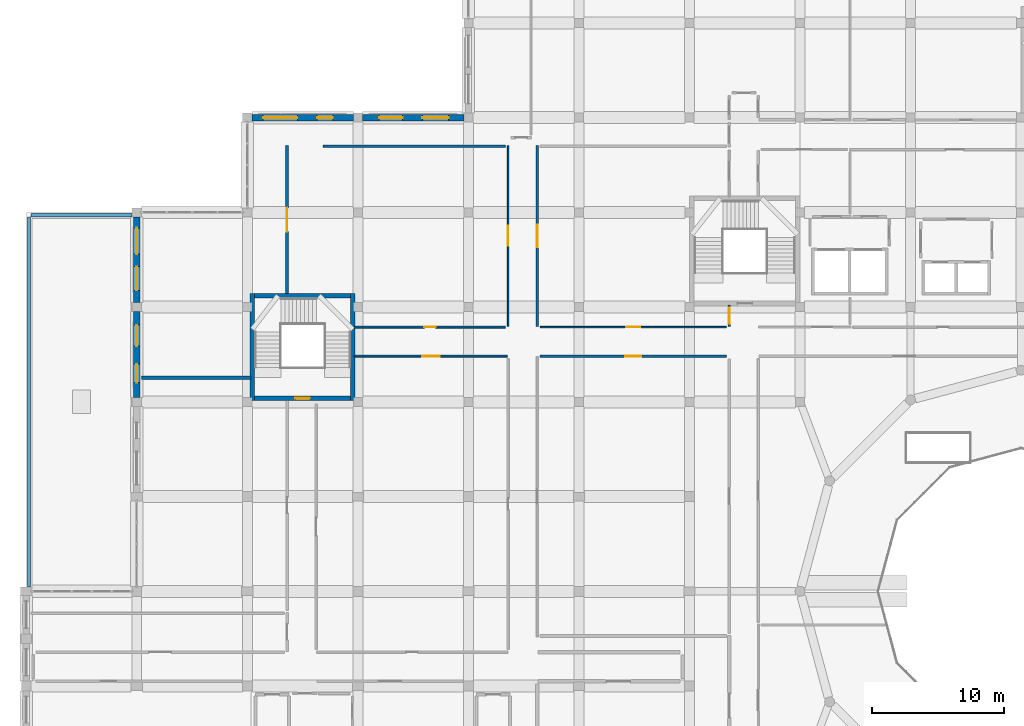
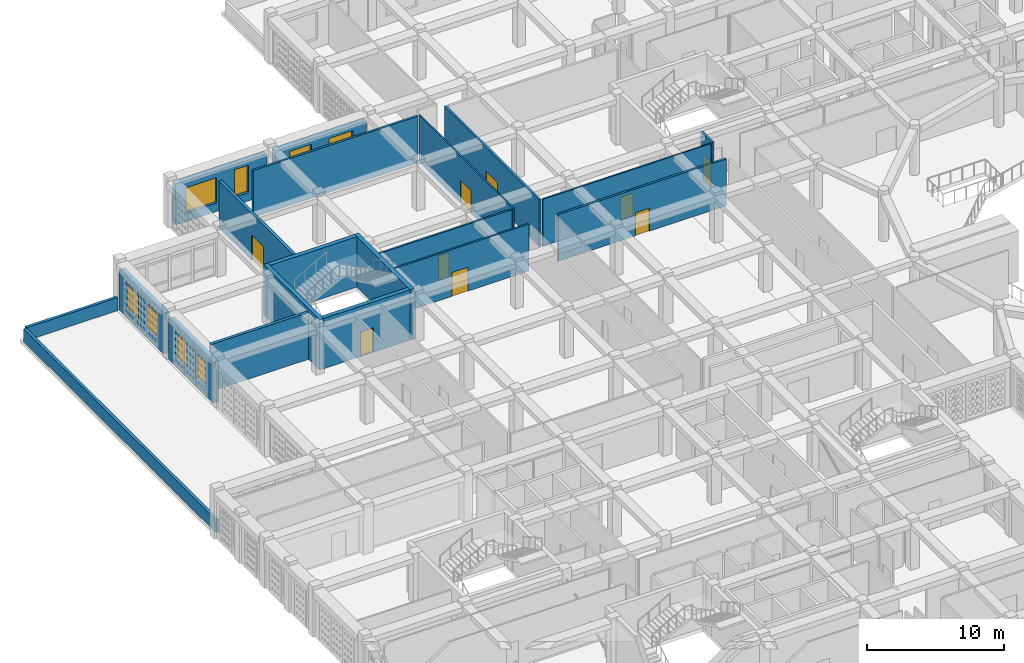
# One storey, part 61 of 100: 20 walls, 9 doors, 8 windows, 17 openings.
"""IFC4 building model written with IfcOpenShell, lengths in metres."""

from ifc_helpers import new_model, si_unit, derived_unit, direction, frame, frame_2d, origin, place, context, subcontext, project, spatial, rectangle, extrude, material, layer, layer_set, type_object, element, fill, save


model = new_model("IFC4")

# Units and contexts
model_context = context("Model", 3, precision=1e-05, world=origin(), true_north=direction((0.0, 1.0)))
body_context = subcontext(model_context, "Body", "Model", "MODEL_VIEW")
ifc_project = project(units=[si_unit("LENGTHUNIT", "METRE"), si_unit("AREAUNIT", "SQUARE_METRE"), si_unit("VOLUMEUNIT", "CUBIC_METRE"), si_unit("PLANEANGLEUNIT", "RADIAN"), si_unit("MASSUNIT", "GRAM", prefix="KILO"), derived_unit("THERMALTRANSMITTANCEUNIT", [(si_unit("POWERUNIT", "WATT"), 1), (si_unit("LENGTHUNIT", "METRE"), -2), (si_unit("THERMODYNAMICTEMPERATUREUNIT", "KELVIN"), -1)])], contexts=[model_context])

# Site, building, storey
site_placement = place(None, origin())
site = spatial("IfcSite", under=ifc_project, at=site_placement, CompositionType="ELEMENT")
building_placement = place(site_placement, origin())
building = spatial("IfcBuilding", under=site, at=building_placement, Name="Veybourne Emporium", CompositionType="ELEMENT")
storey_placement = place(building_placement, frame((0.0, 0.0, 14.39990234375)))
storey = spatial("IfcBuildingStorey", under=building, at=storey_placement, Name="L03", CompositionType="ELEMENT", Elevation=14.39990234375)

# Wall, openings, windows
ifc_material_1 = material(Name="Portland Limestone Ashlar", Category="masonry")
ifc_layer_1 = layer(ifc_material_1, 0.47998046875)
ifc_layer_set_1 = layer_set([ifc_layer_1], Name="Portland Limestone Ashlar")
wall_type_1 = type_object("IfcWallType", Name="ExtWall_EW-01", PredefinedType="SOLIDWALL", material=ifc_layer_set_1)
wall_1_placement = place(storey_placement, frame((8.39990234375, 65.14990234375, 0.0), z_axis=(0.0, 0.0, 1.0), x_axis=(0.0, 1.0, 0.0)))
wall_1 = element("IfcWall", 1, at=wall_1_placement, inside=storey, type_object=wall_type_1, Name="L03 Portland stone external wall 011", PredefinedType="SOLIDWALL", context=body_context, shape_type="SweptSolid", body=[
    extrude(rectangle(XDim=6.5, YDim=0.47998046875, at=frame_2d((3.25, 0.0))), origin(), (0.0, 0.0, 1.0), 3.630126953125),
])
opening_1_placement = place(wall_1_placement, frame((1.1201171875, 0.0, 0.75)))
opening_1 = element("IfcOpeningElement", 2, at=opening_1_placement, cuts=wall_1, Name="Opening W-18", PredefinedType="OPENING", context=body_context, shape_type="SweptSolid", body=[
    extrude(rectangle(XDim=1.39990234375, YDim=2.260009765625, at=frame_2d((0.699951171875, 1.1298828125))), frame((0.0, 0.260009765625, 0.0), z_axis=(0.0, -1.0, 0.0), x_axis=(1.0, 0.0, 0.0)), (0.0, 0.0, 1.0), 0.52001953125),
])
opening_2_placement = place(wall_1_placement, frame((3.8798828125, 0.0, 0.75)))
opening_2 = element("IfcOpeningElement", 3, at=opening_2_placement, cuts=wall_1, Name="Opening W-19", PredefinedType="OPENING", context=body_context, shape_type="SweptSolid", body=[
    extrude(rectangle(XDim=1.60009765625, YDim=2.260009765625, at=frame_2d((0.800048828125, 1.1298828125))), frame((0.0, 0.260009765625, 0.0), z_axis=(0.0, -1.0, 0.0), x_axis=(1.0, 0.0, 0.0)), (0.0, 0.0, 1.0), 0.52001953125),
])
ifc_material_2 = material(Name="Low-E Triple Glazing", Category="glass")
window_type_1 = type_object("IfcWindowType", Name="Win_W-18", PartitioningType="DOUBLE_PANEL_VERTICAL", PredefinedType="WINDOW", material=ifc_material_2)
window_1_placement = place(opening_1_placement, origin())
window_1 = element("IfcWindow", 4, at=window_1_placement, inside=storey, type_object=window_type_1, Name="L03 tripartite bronze casement window W-18 (11.1)", OverallHeight=2.260009765625, OverallWidth=1.39990234375, PartitioningType="DOUBLE_PANEL_VERTICAL", PredefinedType="WINDOW", context=body_context, shape_type="SweptSolid", body=[
    extrude(rectangle(XDim=1.39990234375, YDim=2.260009765625, at=frame_2d((0.699951171875, 1.1298828125))), frame((0.0, 0.030029296875, 0.0), z_axis=(0.0, -1.0, 0.0), x_axis=(1.0, 0.0, 0.0)), (0.0, 0.0, 1.0), 0.06005859375),
])
fill(opening_1, window_1)
window_type_2 = type_object("IfcWindowType", Name="Win_W-19", PartitioningType="DOUBLE_PANEL_VERTICAL", PredefinedType="WINDOW", material=ifc_material_2)
window_2_placement = place(opening_2_placement, origin())
window_2 = element("IfcWindow", 5, at=window_2_placement, inside=storey, type_object=window_type_2, Name="L03 tripartite bronze casement window W-19 (11.2)", OverallHeight=2.260009765625, OverallWidth=1.60009765625, PartitioningType="DOUBLE_PANEL_VERTICAL", PredefinedType="WINDOW", context=body_context, shape_type="SweptSolid", body=[
    extrude(rectangle(XDim=1.60009765625, YDim=2.260009765625, at=frame_2d((0.800048828125, 1.1298828125))), frame((0.0, 0.030029296875, 0.0), z_axis=(0.0, -1.0, 0.0), x_axis=(1.0, 0.0, 0.0)), (0.0, 0.0, 1.0), 0.06005859375),
])
fill(opening_2, window_2)

wall_2_placement = place(storey_placement, frame((8.39990234375, 72.35009765625, 0.0), z_axis=(0.0, 0.0, 1.0), x_axis=(0.0, 1.0, 0.0)))
wall_2 = element("IfcWall", 6, at=wall_2_placement, inside=storey, type_object=wall_type_1, Name="L03 Portland stone external wall 013", PredefinedType="SOLIDWALL", context=body_context, shape_type="SweptSolid", body=[
    extrude(rectangle(XDim=6.5, YDim=0.47998046875, at=frame_2d((3.25, 0.0))), origin(), (0.0, 0.0, 1.0), 3.630126953125),
])
opening_3_placement = place(wall_2_placement, frame((0.919921875, 0.0, 0.75)))
opening_3 = element("IfcOpeningElement", 7, at=opening_3_placement, cuts=wall_2, Name="Opening W-20", PredefinedType="OPENING", context=body_context, shape_type="SweptSolid", body=[
    extrude(rectangle(XDim=1.800048828125, YDim=2.260009765625, at=frame_2d((0.89990234375, 1.1298828125))), frame((0.0, 0.260009765625, 0.0), z_axis=(0.0, -1.0, 0.0), x_axis=(1.0, 0.0, 0.0)), (0.0, 0.0, 1.0), 0.52001953125),
])
opening_4_placement = place(wall_2_placement, frame((3.679931640625, 0.0, 0.75)))
opening_4 = element("IfcOpeningElement", 8, at=opening_4_placement, cuts=wall_2, Name="Opening W-21", PredefinedType="OPENING", context=body_context, shape_type="SweptSolid", body=[
    extrude(rectangle(XDim=2.0, YDim=2.260009765625, at=frame_2d((1.0, 1.1298828125))), frame((0.0, 0.260009765625, 0.0), z_axis=(0.0, -1.0, 0.0), x_axis=(1.0, 0.0, 0.0)), (0.0, 0.0, 1.0), 0.52001953125),
])
window_type_3 = type_object("IfcWindowType", Name="Win_W-20", PartitioningType="DOUBLE_PANEL_VERTICAL", PredefinedType="WINDOW", material=ifc_material_2)
window_3_placement = place(opening_3_placement, origin())
window_3 = element("IfcWindow", 9, at=window_3_placement, inside=storey, type_object=window_type_3, Name="L03 tripartite bronze casement window W-20 (13.1)", OverallHeight=2.260009765625, OverallWidth=1.800048828125, PartitioningType="DOUBLE_PANEL_VERTICAL", PredefinedType="WINDOW", context=body_context, shape_type="SweptSolid", body=[
    extrude(rectangle(XDim=1.800048828125, YDim=2.260009765625, at=frame_2d((0.89990234375, 1.1298828125))), frame((0.0, 0.030029296875, 0.0), z_axis=(0.0, -1.0, 0.0), x_axis=(1.0, 0.0, 0.0)), (0.0, 0.0, 1.0), 0.06005859375),
])
fill(opening_3, window_3)
window_type_4 = type_object("IfcWindowType", Name="Win_W-21", PartitioningType="TRIPLE_PANEL_VERTICAL", PredefinedType="WINDOW", material=ifc_material_2)
window_4_placement = place(opening_4_placement, origin())
window_4 = element("IfcWindow", 10, at=window_4_placement, inside=storey, type_object=window_type_4, Name="L03 tripartite bronze casement window W-21 (13.2)", OverallHeight=2.260009765625, OverallWidth=2.0, PartitioningType="TRIPLE_PANEL_VERTICAL", PredefinedType="WINDOW", context=body_context, shape_type="SweptSolid", body=[
    extrude(rectangle(XDim=2.0, YDim=2.260009765625, at=frame_2d((1.0, 1.1298828125))), frame((0.0, 0.030029296875, 0.0), z_axis=(0.0, -1.0, 0.0), x_axis=(1.0, 0.0, 0.0)), (0.0, 0.0, 1.0), 0.06005859375),
])
fill(opening_4, window_4)

wall_3_placement = place(storey_placement, frame((17.14990234375, 86.39990234375, 0.0), z_axis=(0.0, 0.0, 1.0), x_axis=(1.0, 0.0, 0.0)))
wall_3 = element("IfcWall", 11, at=wall_3_placement, inside=storey, type_object=wall_type_1, Name="L03 Portland stone external wall 017", PredefinedType="SOLIDWALL", context=body_context, shape_type="SweptSolid", body=[
    extrude(rectangle(XDim=7.7001953125, YDim=0.47998046875, at=frame_2d((3.85009765625, 0.0))), origin(), (0.0, 0.0, 1.0), 3.630126953125),
])
opening_5_placement = place(wall_3_placement, frame((0.85595703125, 0.0, 0.75)))
opening_5 = element("IfcOpeningElement", 12, at=opening_5_placement, cuts=wall_3, Name="Opening W-24", PredefinedType="OPENING", context=body_context, shape_type="SweptSolid", body=[
    extrude(rectangle(XDim=2.60009765625, YDim=2.260009765625, at=frame_2d((1.300048828125, 1.1298828125))), frame((0.0, 0.260009765625, 0.0), z_axis=(0.0, -1.0, 0.0), x_axis=(1.0, 0.0, 0.0)), (0.0, 0.0, 1.0), 0.52001953125),
])
opening_6_placement = place(wall_3_placement, frame((4.944091796875, 0.0, 0.75)))
opening_6 = element("IfcOpeningElement", 13, at=opening_6_placement, cuts=wall_3, Name="Opening W-25", PredefinedType="OPENING", context=body_context, shape_type="SweptSolid", body=[
    extrude(rectangle(XDim=1.199951171875, YDim=2.43994140625, at=frame_2d((0.60009765625, 1.219970703125))), frame((0.0, 0.260009765625, 0.0), z_axis=(0.0, -1.0, 0.0), x_axis=(1.0, 0.0, 0.0)), (0.0, 0.0, 1.0), 0.52001953125),
])
window_type_5 = type_object("IfcWindowType", Name="Win_W-24", PartitioningType="TRIPLE_PANEL_VERTICAL", PredefinedType="WINDOW", material=ifc_material_2)
window_5_placement = place(opening_5_placement, origin())
window_5 = element("IfcWindow", 14, at=window_5_placement, inside=storey, type_object=window_type_5, Name="L03 tripartite bronze casement window W-24 (17.1)", OverallHeight=2.260009765625, OverallWidth=2.60009765625, PartitioningType="TRIPLE_PANEL_VERTICAL", PredefinedType="WINDOW", context=body_context, shape_type="SweptSolid", body=[
    extrude(rectangle(XDim=2.60009765625, YDim=2.260009765625, at=frame_2d((1.300048828125, 1.1298828125))), frame((0.0, 0.030029296875, 0.0), z_axis=(0.0, -1.0, 0.0), x_axis=(1.0, 0.0, 0.0)), (0.0, 0.0, 1.0), 0.06005859375),
])
fill(opening_5, window_5)
window_type_6 = type_object("IfcWindowType", Name="Win_W-25", PartitioningType="SINGLE_PANEL", PredefinedType="WINDOW", material=ifc_material_2)
window_6_placement = place(opening_6_placement, origin())
window_6 = element("IfcWindow", 15, at=window_6_placement, inside=storey, type_object=window_type_6, Name="L03 tripartite bronze casement window W-25 (17.2)", OverallHeight=2.43994140625, OverallWidth=1.199951171875, PartitioningType="SINGLE_PANEL", PredefinedType="WINDOW", context=body_context, shape_type="SweptSolid", body=[
    extrude(rectangle(XDim=1.199951171875, YDim=2.43994140625, at=frame_2d((0.60009765625, 1.219970703125))), frame((0.0, 0.030029296875, 0.0), z_axis=(0.0, -1.0, 0.0), x_axis=(1.0, 0.0, 0.0)), (0.0, 0.0, 1.0), 0.06005859375),
])
fill(opening_6, window_6)

wall_4_placement = place(storey_placement, frame((25.550048828125, 86.39990234375, 0.0), z_axis=(0.0, 0.0, 1.0), x_axis=(1.0, 0.0, 0.0)))
wall_4 = element("IfcWall", 16, at=wall_4_placement, inside=storey, type_object=wall_type_1, Name="L03 Portland stone external wall 020", PredefinedType="SOLIDWALL", context=body_context, shape_type="SweptSolid", body=[
    extrude(rectangle(XDim=7.699951171875, YDim=0.47998046875, at=frame_2d((3.85009765625, 0.0))), origin(), (0.0, 0.0, 1.0), 3.630126953125),
])
opening_7_placement = place(wall_4_placement, frame((1.256103515625, 0.0, 0.75)))
opening_7 = element("IfcOpeningElement", 17, at=opening_7_placement, cuts=wall_4, Name="Opening W-28", PredefinedType="OPENING", context=body_context, shape_type="SweptSolid", body=[
    extrude(rectangle(XDim=1.800048828125, YDim=2.43994140625, at=frame_2d((0.89990234375, 1.219970703125))), frame((0.0, 0.260009765625, 0.0), z_axis=(0.0, -1.0, 0.0), x_axis=(1.0, 0.0, 0.0)), (0.0, 0.0, 1.0), 0.52001953125),
])
opening_8_placement = place(wall_4_placement, frame((4.5439453125, 0.0, 0.75)))
opening_8 = element("IfcOpeningElement", 18, at=opening_8_placement, cuts=wall_4, Name="Opening W-29", PredefinedType="OPENING", context=body_context, shape_type="SweptSolid", body=[
    extrude(rectangle(XDim=2.0, YDim=2.43994140625, at=frame_2d((1.0, 1.219970703125))), frame((0.0, 0.260009765625, 0.0), z_axis=(0.0, -1.0, 0.0), x_axis=(1.0, 0.0, 0.0)), (0.0, 0.0, 1.0), 0.52001953125),
])
window_type_7 = type_object("IfcWindowType", Name="Win_W-28", PartitioningType="DOUBLE_PANEL_VERTICAL", PredefinedType="WINDOW", material=ifc_material_2)
window_7_placement = place(opening_7_placement, origin())
window_7 = element("IfcWindow", 19, at=window_7_placement, inside=storey, type_object=window_type_7, Name="L03 tripartite bronze casement window W-28 (20.1)", OverallHeight=2.43994140625, OverallWidth=1.800048828125, PartitioningType="DOUBLE_PANEL_VERTICAL", PredefinedType="WINDOW", context=body_context, shape_type="SweptSolid", body=[
    extrude(rectangle(XDim=1.800048828125, YDim=2.43994140625, at=frame_2d((0.89990234375, 1.219970703125))), frame((0.0, 0.030029296875, 0.0), z_axis=(0.0, -1.0, 0.0), x_axis=(1.0, 0.0, 0.0)), (0.0, 0.0, 1.0), 0.06005859375),
])
fill(opening_7, window_7)
window_type_8 = type_object("IfcWindowType", Name="Win_W-29", PartitioningType="TRIPLE_PANEL_VERTICAL", PredefinedType="WINDOW", material=ifc_material_2)
window_8_placement = place(opening_8_placement, origin())
window_8 = element("IfcWindow", 20, at=window_8_placement, inside=storey, type_object=window_type_8, Name="L03 tripartite bronze casement window W-29 (20.2)", OverallHeight=2.43994140625, OverallWidth=2.0, PartitioningType="TRIPLE_PANEL_VERTICAL", PredefinedType="WINDOW", context=body_context, shape_type="SweptSolid", body=[
    extrude(rectangle(XDim=2.0, YDim=2.43994140625, at=frame_2d((1.0, 1.219970703125))), frame((0.0, 0.030029296875, 0.0), z_axis=(0.0, -1.0, 0.0), x_axis=(1.0, 0.0, 0.0)), (0.0, 0.0, 1.0), 0.06005859375),
])
fill(opening_8, window_8)

# Walls
ifc_material_3 = material(Name="Precast concrete C40/50", Category="concrete")
ifc_layer_2 = layer(ifc_material_3, 0.239990234375)
ifc_layer_set_2 = layer_set([ifc_layer_2], Name="Precast concrete C40/50")
wall_type_2 = type_object("IfcWallType", Name="ExtWall_PW-02", PredefinedType="PARAPET", material=ifc_layer_set_2)
wall_5_placement = place(storey_placement, frame((0.35009765625, 78.97998046875, 0.0), z_axis=(0.0, 0.0, 1.0), x_axis=(1.0, 0.0, 0.0)))
element("IfcWall", 21, at=wall_5_placement, inside=storey, type_object=wall_type_2, Name="L03 roof parapet wall 002", PredefinedType="PARAPET", context=body_context, shape_type="SweptSolid", body=[
    extrude(rectangle(XDim=7.699951171875, YDim=0.239990234375, at=frame_2d((3.85009765625, 0.0))), origin(), (0.0, 0.0, 1.0), 1.150146484375),
])
wall_6_placement = place(storey_placement, frame((0.219970703125, 50.75, 0.0), z_axis=(0.0, 0.0, 1.0), x_axis=(0.0, 1.0, 0.0)))
element("IfcWall", 22, at=wall_6_placement, inside=storey, type_object=wall_type_2, Name="L03 roof parapet wall 003", PredefinedType="PARAPET", context=body_context, shape_type="SweptSolid", body=[
    extrude(rectangle(XDim=28.10009765625, YDim=0.239990234375, at=frame_2d((14.050048828125, 0.0))), origin(), (0.0, 0.0, 1.0), 1.150146484375),
])

# Wall, opening, door
ifc_material_4 = material(Name="Concrete C40/50", Category="concrete")
ifc_layer_3 = layer(ifc_material_4, 0.35009765625)
ifc_layer_set_3 = layer_set([ifc_layer_3], Name="Concrete C40/50")
wall_type_3 = type_object("IfcWallType", Name="IntWall_CW-02", PredefinedType="SHEAR", material=ifc_layer_set_3)
wall_7_placement = place(storey_placement, frame((24.64990234375, 65.074951171875, 0.0), z_axis=(0.0, 0.0, 1.0), x_axis=(-1.0, 0.0, 0.0)))
wall_7 = element("IfcWall", 23, at=wall_7_placement, inside=storey, type_object=wall_type_3, Name="Core stair ST-08 south shear wall (L03)", PredefinedType="SHEAR", context=body_context, shape_type="SweptSolid", body=[
    extrude(rectangle(XDim=7.2998046875, YDim=0.35009765625, at=frame_2d((3.64990234375, 0.0))), origin(), (0.0, 0.0, 1.0), 4.5),
])
opening_9_placement = place(wall_7_placement, frame((3.10009765625, 0.0, 0.0)))
opening_9 = element("IfcOpeningElement", 24, at=opening_9_placement, cuts=wall_7, Name="Opening FD-01", PredefinedType="OPENING", context=body_context, shape_type="SweptSolid", body=[
    extrude(rectangle(XDim=1.10009765625, YDim=2.199951171875, at=frame_2d((0.550048828125, 1.10009765625))), frame((0.0, 0.195068359375, 0.0), z_axis=(0.0, -1.0, 0.0), x_axis=(1.0, 0.0, 0.0)), (0.0, 0.0, 1.0), 0.39013671875),
])
ifc_material_5 = material(Name="Patinated Architectural Bronze", Category="bronze")
door_type_1 = type_object("IfcDoorType", Name="FireDoor_FD-01", OperationType="NOTDEFINED", PredefinedType="DOOR", material=ifc_material_5)
door_1_placement = place(opening_9_placement, origin())
door_1 = element("IfcDoor", 25, at=door_1_placement, inside=storey, type_object=door_type_1, Name="Stair ST-08 fire door (L03)", OperationType="SINGLE_SWING_RIGHT", OverallHeight=2.199951171875, OverallWidth=1.10009765625, PredefinedType="DOOR", context=body_context, shape_type="SweptSolid", body=[
    extrude(rectangle(XDim=1.10009765625, YDim=2.199951171875, at=frame_2d((0.550048828125, 1.10009765625))), frame((0.0, 0.02490234375, 0.0), z_axis=(0.0, -1.0, 0.0), x_axis=(1.0, 0.0, 0.0)), (0.0, 0.0, 1.0), 0.050048828125),
])
fill(opening_9, door_1)

# Walls
wall_8_placement = place(storey_placement, frame((17.35009765625, 72.875, 0.0), z_axis=(0.0, 0.0, 1.0), x_axis=(1.0, 0.0, 0.0)))
element("IfcWall", 26, at=wall_8_placement, inside=storey, type_object=wall_type_3, Name="Core stair ST-08 north shear wall (L03)", PredefinedType="SHEAR", context=body_context, shape_type="SweptSolid", body=[
    extrude(rectangle(XDim=7.2998046875, YDim=0.35009765625, at=frame_2d((3.64990234375, 0.0))), origin(), (0.0, 0.0, 1.0), 4.5),
])
for number, where, z_axis, x_axis, name in (
    (27, (17.175048828125, 73.050048828125, 0.0), (0.0, 0.0, 1.0), (0.0, -1.0, 0.0), "Core stair ST-08 west shear wall (L03)"),
    (28, (24.824951171875, 64.89990234375, 0.0), (0.0, 0.0, 1.0), (0.0, 1.0, 0.0), "Core stair ST-08 east shear wall (L03)"),
):
    element("IfcWall", number, at=place(storey_placement, frame(where, z_axis=z_axis, x_axis=x_axis)), inside=storey, type_object=wall_type_3, Name=name, PredefinedType="SHEAR", context=body_context, shape_type="SweptSolid", body=[
        extrude(rectangle(XDim=8.150146484375, YDim=0.35009765625, at=frame_2d((4.0751953125, 0.0))), origin(), (0.0, 0.0, 1.0), 4.5),
    ])

# Wall, opening, door
ifc_material_6 = material(Name="Concrete C32/40", Category="concrete")
ifc_layer_4 = layer(ifc_material_6, 0.25)
ifc_layer_set_4 = layer_set([ifc_layer_4], Name="Concrete C32/40")
wall_type_4 = type_object("IfcWallType", Name="IntWall_FW-01", PredefinedType="SOLIDWALL", material=ifc_layer_set_4)
wall_9_placement = place(storey_placement, frame((19.820068359375, 72.989990234375, 0.0), z_axis=(0.0, 0.0, 1.0), x_axis=(0.0, 1.0, 0.0)))
wall_9 = element("IfcWall", 29, at=wall_9_placement, inside=storey, type_object=wall_type_4, Name="L03 interior partition FW-01 #040", PredefinedType="SOLIDWALL", context=body_context, shape_type="SweptSolid", body=[
    extrude(rectangle(XDim=11.2900390625, YDim=0.25, at=frame_2d((5.64501953125, 0.0))), origin(), (0.0, 0.0, 1.0), 4.18017578125),
])
opening_10_placement = place(wall_9_placement, frame((4.7451171875, 0.0, 0.0)))
opening_10 = element("IfcOpeningElement", 30, at=opening_10_placement, cuts=wall_9, Name="Opening FD-03", PredefinedType="OPENING", context=body_context, shape_type="SweptSolid", body=[
    extrude(rectangle(XDim=1.800048828125, YDim=2.300048828125, at=frame_2d((0.89990234375, 1.14990234375))), frame((0.0, 0.14501953125, 0.0), z_axis=(0.0, -1.0, 0.0), x_axis=(1.0, 0.0, 0.0)), (0.0, 0.0, 1.0), 0.2900390625),
])
door_type_2 = type_object("IfcDoorType", Name="FireDoor_FD-03", OperationType="DOUBLE_DOOR_SINGLE_SWING", PredefinedType="DOOR", material=ifc_material_5)
door_2_placement = place(opening_10_placement, origin())
door_2 = element("IfcDoor", 31, at=door_2_placement, inside=storey, type_object=door_type_2, Name="L03 interior door FD-03 (PART-L03-040)", OperationType="DOUBLE_DOOR_SINGLE_SWING", OverallHeight=2.300048828125, OverallWidth=1.800048828125, PredefinedType="DOOR", context=body_context, shape_type="SweptSolid", body=[
    extrude(rectangle(XDim=1.800048828125, YDim=2.300048828125, at=frame_2d((0.89990234375, 1.14990234375))), frame((0.0, 0.02490234375, 0.0), z_axis=(0.0, -1.0, 0.0), x_axis=(1.0, 0.0, 0.0)), (0.0, 0.0, 1.0), 0.050048828125),
])
fill(opening_10, door_2)

# Wall
wall_10_placement = place(storey_placement, frame((8.77001953125, 66.6298828125, 0.0), z_axis=(0.0, 0.0, 1.0), x_axis=(1.0, 0.0, 0.0)))
element("IfcWall", 32, at=wall_10_placement, inside=storey, type_object=wall_type_4, Name="L03 interior partition FW-01 #135", PredefinedType="SOLIDWALL", context=body_context, shape_type="SweptSolid", body=[
    extrude(rectangle(XDim=8.2900390625, YDim=0.25, at=frame_2d((4.14501953125, 0.0))), origin(), (0.0, 0.0, 1.0), 4.18017578125),
])

# Wall, opening, door
ifc_material_7 = material(Name="Gypsum Acoustic Board", Category="gypsum")
ifc_layer_5 = layer(ifc_material_7, 0.179931640625)
ifc_layer_set_5 = layer_set([ifc_layer_5], Name="Gypsum Acoustic Board")
wall_type_5 = type_object("IfcWallType", Name="IntWall_IW-01", PredefinedType="PARTITIONING", material=ifc_layer_set_5)
wall_11_placement = place(storey_placement, frame((39.0400390625, 68.27001953125, 0.0), z_axis=(0.0, 0.0, 1.0), x_axis=(1.0, 0.0, 0.0)))
wall_11 = element("IfcWall", 33, at=wall_11_placement, inside=storey, type_object=wall_type_5, Name="L03 interior partition IW-01 #029", PredefinedType="PARTITIONING", context=body_context, shape_type="SweptSolid", body=[
    extrude(rectangle(XDim=14.169921875, YDim=0.179931640625, at=frame_2d((7.0849609375, 0.0))), origin(), (0.0, 0.0, 1.0), 4.18017578125),
])
opening_11_placement = place(wall_11_placement, frame((6.485107421875, 0.0, 0.0)))
opening_11 = element("IfcOpeningElement", 34, at=opening_11_placement, cuts=wall_11, Name="Opening D-03", PredefinedType="OPENING", context=body_context, shape_type="SweptSolid", body=[
    extrude(rectangle(XDim=1.199951171875, YDim=2.050048828125, at=frame_2d((0.60009765625, 1.02490234375))), frame((0.0, 0.10986328125, 0.0), z_axis=(0.0, -1.0, 0.0), x_axis=(1.0, 0.0, 0.0)), (0.0, 0.0, 1.0), 0.219970703125),
])
ifc_material_8 = material(Name="European Oak Veneer and Bronze", Category="wood")
door_type_3 = type_object("IfcDoorType", Name="IntDoor_D-03", OperationType="NOTDEFINED", PredefinedType="DOOR", material=ifc_material_8)
door_3_placement = place(opening_11_placement, origin())
door_3 = element("IfcDoor", 35, at=door_3_placement, inside=storey, type_object=door_type_3, Name="L03 interior door D-03 (PART-L03-029)", OperationType="SINGLE_SWING_LEFT", OverallHeight=2.050048828125, OverallWidth=1.199951171875, PredefinedType="DOOR", context=body_context, shape_type="SweptSolid", body=[
    extrude(rectangle(XDim=1.199951171875, YDim=2.050048828125, at=frame_2d((0.60009765625, 1.02490234375))), frame((0.0, 0.02490234375, 0.0), z_axis=(0.0, -1.0, 0.0), x_axis=(1.0, 0.0, 0.0)), (0.0, 0.0, 1.0), 0.050048828125),
])
fill(opening_11, door_3)

wall_12_placement = place(storey_placement, frame((38.830078125, 70.530029296875, 0.0), z_axis=(0.0, 0.0, 1.0), x_axis=(0.0, 1.0, 0.0)))
wall_12 = element("IfcWall", 36, at=wall_12_placement, inside=storey, type_object=wall_type_5, Name="L03 interior partition IW-01 #032", PredefinedType="PARTITIONING", context=body_context, shape_type="SweptSolid", body=[
    extrude(rectangle(XDim=13.75, YDim=0.179931640625, at=frame_2d((6.875, 0.0))), origin(), (0.0, 0.0, 1.0), 4.18017578125),
])
opening_12_placement = place(wall_12_placement, frame((6.034912109375, 0.0, 0.0)))
opening_12 = element("IfcOpeningElement", 37, at=opening_12_placement, cuts=wall_12, Name="Opening D-06", PredefinedType="OPENING", context=body_context, shape_type="SweptSolid", body=[
    extrude(rectangle(XDim=1.679931640625, YDim=2.050048828125, at=frame_2d((0.83984375, 1.02490234375))), frame((0.0, 0.10986328125, 0.0), z_axis=(0.0, -1.0, 0.0), x_axis=(1.0, 0.0, 0.0)), (0.0, 0.0, 1.0), 0.219970703125),
])
door_type_4 = type_object("IfcDoorType", Name="IntDoor_D-06", OperationType="DOUBLE_DOOR_SINGLE_SWING", PredefinedType="DOOR", material=ifc_material_8)
door_4_placement = place(opening_12_placement, origin())
door_4 = element("IfcDoor", 38, at=door_4_placement, inside=storey, type_object=door_type_4, Name="L03 interior door D-06 (PART-L03-032)", OperationType="DOUBLE_DOOR_SINGLE_SWING", OverallHeight=2.050048828125, OverallWidth=1.679931640625, PredefinedType="DOOR", context=body_context, shape_type="SweptSolid", body=[
    extrude(rectangle(XDim=1.679931640625, YDim=2.050048828125, at=frame_2d((0.83984375, 1.02490234375))), frame((0.0, 0.02490234375, 0.0), z_axis=(0.0, -1.0, 0.0), x_axis=(1.0, 0.0, 0.0)), (0.0, 0.0, 1.0), 0.050048828125),
])
fill(opening_12, door_4)

wall_13_placement = place(storey_placement, frame((53.419921875, 70.530029296875, 0.0), z_axis=(0.0, 0.0, 1.0), x_axis=(0.0, 1.0, 0.0)))
wall_13 = element("IfcWall", 39, at=wall_13_placement, inside=storey, type_object=wall_type_5, Name="L03 interior partition IW-01 #119", PredefinedType="PARTITIONING", context=body_context, shape_type="SweptSolid", body=[
    extrude(rectangle(XDim=1.6298828125, YDim=0.179931640625, at=frame_2d((0.81494140625, 0.0))), origin(), (0.0, 0.0, 1.0), 4.18017578125),
])
opening_13_placement = place(wall_13_placement, frame((0.215087890625, 0.0, 0.0)))
opening_13 = element("IfcOpeningElement", 40, at=opening_13_placement, cuts=wall_13, Name="Opening D-21", PredefinedType="OPENING", context=body_context, shape_type="SweptSolid", body=[
    extrude(rectangle(XDim=1.199951171875, YDim=2.2900390625, at=frame_2d((0.60009765625, 1.14501953125))), frame((0.0, 0.10986328125, 0.0), z_axis=(0.0, -1.0, 0.0), x_axis=(1.0, 0.0, 0.0)), (0.0, 0.0, 1.0), 0.219970703125),
])
door_type_5 = type_object("IfcDoorType", Name="IntDoor_D-21", OperationType="NOTDEFINED", PredefinedType="DOOR", material=ifc_material_8)
door_5_placement = place(opening_13_placement, origin())
door_5 = element("IfcDoor", 41, at=door_5_placement, inside=storey, type_object=door_type_5, Name="L03 interior door D-21 (PART-L03-119)", OperationType="SINGLE_SWING_RIGHT", OverallHeight=2.2900390625, OverallWidth=1.199951171875, PredefinedType="DOOR", context=body_context, shape_type="SweptSolid", body=[
    extrude(rectangle(XDim=1.199951171875, YDim=2.2900390625, at=frame_2d((0.60009765625, 1.14501953125))), frame((0.0, 0.02490234375, 0.0), z_axis=(0.0, -1.0, 0.0), x_axis=(1.0, 0.0, 0.0)), (0.0, 0.0, 1.0), 0.050048828125),
])
fill(opening_13, door_5)

# Wall
wall_14_placement = place(storey_placement, frame((22.533935546875, 84.22998046875, 0.0), z_axis=(0.0, 0.0, 1.0), x_axis=(1.0, 0.0, 0.0)))
element("IfcWall", 42, at=wall_14_placement, inside=storey, type_object=wall_type_5, Name="L03 interior partition IW-01 #128", PredefinedType="PARTITIONING", context=body_context, shape_type="SweptSolid", body=[
    extrude(rectangle(XDim=13.8759765625, YDim=0.179931640625, at=frame_2d((6.93798828125, 0.0))), origin(), (0.0, 0.0, 1.0), 4.18017578125),
])

# Wall, opening, door
ifc_layer_6 = layer(ifc_material_7, 0.14990234375)
ifc_layer_set_6 = layer_set([ifc_layer_6], Name="Gypsum Acoustic Board")
wall_type_6 = type_object("IfcWallType", Name="IntWall_IW-02", PredefinedType="PARTITIONING", material=ifc_layer_set_6)
wall_15_placement = place(storey_placement, frame((24.93994140625, 68.27001953125, 0.0), z_axis=(0.0, 0.0, 1.0), x_axis=(1.0, 0.0, 0.0)))
wall_15 = element("IfcWall", 43, at=wall_15_placement, inside=storey, type_object=wall_type_6, Name="L03 interior partition IW-02 #036", PredefinedType="PARTITIONING", context=body_context, shape_type="SweptSolid", body=[
    extrude(rectangle(XDim=11.630126953125, YDim=0.14990234375, at=frame_2d((5.81494140625, 0.0))), origin(), (0.0, 0.0, 1.0), 4.18017578125),
])
opening_14_placement = place(wall_15_placement, frame((5.135009765625, 0.0, 0.0)))
opening_14 = element("IfcOpeningElement", 44, at=opening_14_placement, cuts=wall_15, Name="Opening D-10", PredefinedType="OPENING", context=body_context, shape_type="SweptSolid", body=[
    extrude(rectangle(XDim=1.360107421875, YDim=2.1298828125, at=frame_2d((0.68017578125, 1.06494140625))), frame((0.0, 0.094970703125, 0.0), z_axis=(0.0, -1.0, 0.0), x_axis=(1.0, 0.0, 0.0)), (0.0, 0.0, 1.0), 0.18994140625),
])
door_type_6 = type_object("IfcDoorType", Name="IntDoor_D-10", OperationType="NOTDEFINED", PredefinedType="DOOR", material=ifc_material_8)
door_6_placement = place(opening_14_placement, origin())
door_6 = element("IfcDoor", 45, at=door_6_placement, inside=storey, type_object=door_type_6, Name="L03 interior door D-10 (PART-L03-036)", OperationType="SINGLE_SWING_RIGHT", OverallHeight=2.1298828125, OverallWidth=1.360107421875, PredefinedType="DOOR", context=body_context, shape_type="SweptSolid", body=[
    extrude(rectangle(XDim=1.360107421875, YDim=2.1298828125, at=frame_2d((0.68017578125, 1.06494140625))), frame((0.0, 0.02490234375, 0.0), z_axis=(0.0, -1.0, 0.0), x_axis=(1.0, 0.0, 0.0)), (0.0, 0.0, 1.0), 0.050048828125),
])
fill(opening_14, door_6)

wall_16_placement = place(storey_placement, frame((24.93994140625, 70.47998046875, 0.0), z_axis=(0.0, 0.0, 1.0), x_axis=(1.0, 0.0, 0.0)))
wall_16 = element("IfcWall", 46, at=wall_16_placement, inside=storey, type_object=wall_type_6, Name="L03 interior partition IW-02 #039", PredefinedType="PARTITIONING", context=body_context, shape_type="SweptSolid", body=[
    extrude(rectangle(XDim=11.469970703125, YDim=0.14990234375, at=frame_2d((5.73486328125, 0.0))), origin(), (0.0, 0.0, 1.0), 4.18017578125),
])
opening_15_placement = place(wall_16_placement, frame((5.294921875, 0.0, 0.0)))
opening_15 = element("IfcOpeningElement", 47, at=opening_15_placement, cuts=wall_16, Name="Opening D-13", PredefinedType="OPENING", context=body_context, shape_type="SweptSolid", body=[
    extrude(rectangle(XDim=0.8798828125, YDim=2.2099609375, at=frame_2d((0.43994140625, 1.10498046875))), frame((0.0, 0.094970703125, 0.0), z_axis=(0.0, -1.0, 0.0), x_axis=(1.0, 0.0, 0.0)), (0.0, 0.0, 1.0), 0.18994140625),
])
door_type_7 = type_object("IfcDoorType", Name="IntDoor_D-13", OperationType="NOTDEFINED", PredefinedType="DOOR", material=ifc_material_8)
door_7_placement = place(opening_15_placement, origin())
door_7 = element("IfcDoor", 48, at=door_7_placement, inside=storey, type_object=door_type_7, Name="L03 interior door D-13 (PART-L03-039)", OperationType="SINGLE_SWING_RIGHT", OverallHeight=2.2099609375, OverallWidth=0.8798828125, PredefinedType="DOOR", context=body_context, shape_type="SweptSolid", body=[
    extrude(rectangle(XDim=0.8798828125, YDim=2.2099609375, at=frame_2d((0.43994140625, 1.10498046875))), frame((0.0, 0.02490234375, 0.0), z_axis=(0.0, -1.0, 0.0), x_axis=(1.0, 0.0, 0.0)), (0.0, 0.0, 1.0), 0.050048828125),
])
fill(opening_15, door_7)

ifc_layer_7 = layer(ifc_material_7, 0.1201171875)
ifc_layer_set_7 = layer_set([ifc_layer_7], Name="Gypsum Acoustic Board")
wall_type_7 = type_object("IfcWallType", Name="IntWall_IW-03", PredefinedType="PARTITIONING", material=ifc_layer_set_7)
wall_17_placement = place(storey_placement, frame((39.0400390625, 70.47998046875, 0.0), z_axis=(0.0, 0.0, 1.0), x_axis=(1.0, 0.0, 0.0)))
wall_17 = element("IfcWall", 49, at=wall_17_placement, inside=storey, type_object=wall_type_7, Name="L03 interior partition IW-03 #028", PredefinedType="PARTITIONING", context=body_context, shape_type="SweptSolid", body=[
    extrude(rectangle(XDim=14.169921875, YDim=0.1201171875, at=frame_2d((7.0849609375, 0.0))), origin(), (0.0, 0.0, 1.0), 4.18017578125),
])
opening_16_placement = place(wall_17_placement, frame((6.56494140625, 0.0, 0.0)))
opening_16 = element("IfcOpeningElement", 50, at=opening_16_placement, cuts=wall_17, Name="Opening D-02", PredefinedType="OPENING", context=body_context, shape_type="SweptSolid", body=[
    extrude(rectangle(XDim=1.0400390625, YDim=2.050048828125, at=frame_2d((0.52001953125, 1.02490234375))), frame((0.0, 0.080078125, 0.0), z_axis=(0.0, -1.0, 0.0), x_axis=(1.0, 0.0, 0.0)), (0.0, 0.0, 1.0), 0.16015625),
])
door_type_8 = type_object("IfcDoorType", Name="IntDoor_D-02", OperationType="NOTDEFINED", PredefinedType="DOOR", material=ifc_material_8)
door_8_placement = place(opening_16_placement, origin())
door_8 = element("IfcDoor", 51, at=door_8_placement, inside=storey, type_object=door_type_8, Name="L03 interior door D-02 (PART-L03-028)", OperationType="SINGLE_SWING_RIGHT", OverallHeight=2.050048828125, OverallWidth=1.0400390625, PredefinedType="DOOR", context=body_context, shape_type="SweptSolid", body=[
    extrude(rectangle(XDim=1.0400390625, YDim=2.050048828125, at=frame_2d((0.52001953125, 1.02490234375))), frame((0.0, 0.02490234375, 0.0), z_axis=(0.0, -1.0, 0.0), x_axis=(1.0, 0.0, 0.0)), (0.0, 0.0, 1.0), 0.050048828125),
])
fill(opening_16, door_8)

wall_18_placement = place(storey_placement, frame((36.6201171875, 70.530029296875, 0.0), z_axis=(0.0, 0.0, 1.0), x_axis=(0.0, 1.0, 0.0)))
wall_18 = element("IfcWall", 52, at=wall_18_placement, inside=storey, type_object=wall_type_7, Name="L03 interior partition IW-03 #031", PredefinedType="PARTITIONING", context=body_context, shape_type="SweptSolid", body=[
    extrude(rectangle(XDim=13.75, YDim=0.1201171875, at=frame_2d((6.875, 0.0))), origin(), (0.0, 0.0, 1.0), 4.18017578125),
])
opening_17_placement = place(wall_18_placement, frame((6.114990234375, 0.0, 0.0)))
opening_17 = element("IfcOpeningElement", 53, at=opening_17_placement, cuts=wall_18, Name="Opening D-05", PredefinedType="OPENING", context=body_context, shape_type="SweptSolid", body=[
    extrude(rectangle(XDim=1.52001953125, YDim=2.050048828125, at=frame_2d((0.760009765625, 1.02490234375))), frame((0.0, 0.080078125, 0.0), z_axis=(0.0, -1.0, 0.0), x_axis=(1.0, 0.0, 0.0)), (0.0, 0.0, 1.0), 0.16015625),
])
door_type_9 = type_object("IfcDoorType", Name="IntDoor_D-05", OperationType="NOTDEFINED", PredefinedType="DOOR", material=ifc_material_8)
door_9_placement = place(opening_17_placement, origin())
door_9 = element("IfcDoor", 54, at=door_9_placement, inside=storey, type_object=door_type_9, Name="L03 interior door D-05 (PART-L03-031)", OperationType="SINGLE_SWING_LEFT", OverallHeight=2.050048828125, OverallWidth=1.52001953125, PredefinedType="DOOR", context=body_context, shape_type="SweptSolid", body=[
    extrude(rectangle(XDim=1.52001953125, YDim=2.050048828125, at=frame_2d((0.760009765625, 1.02490234375))), frame((0.0, 0.02490234375, 0.0), z_axis=(0.0, -1.0, 0.0), x_axis=(1.0, 0.0, 0.0)), (0.0, 0.0, 1.0), 0.050048828125),
])
fill(opening_17, door_9)

save(model, "model.ifc")
